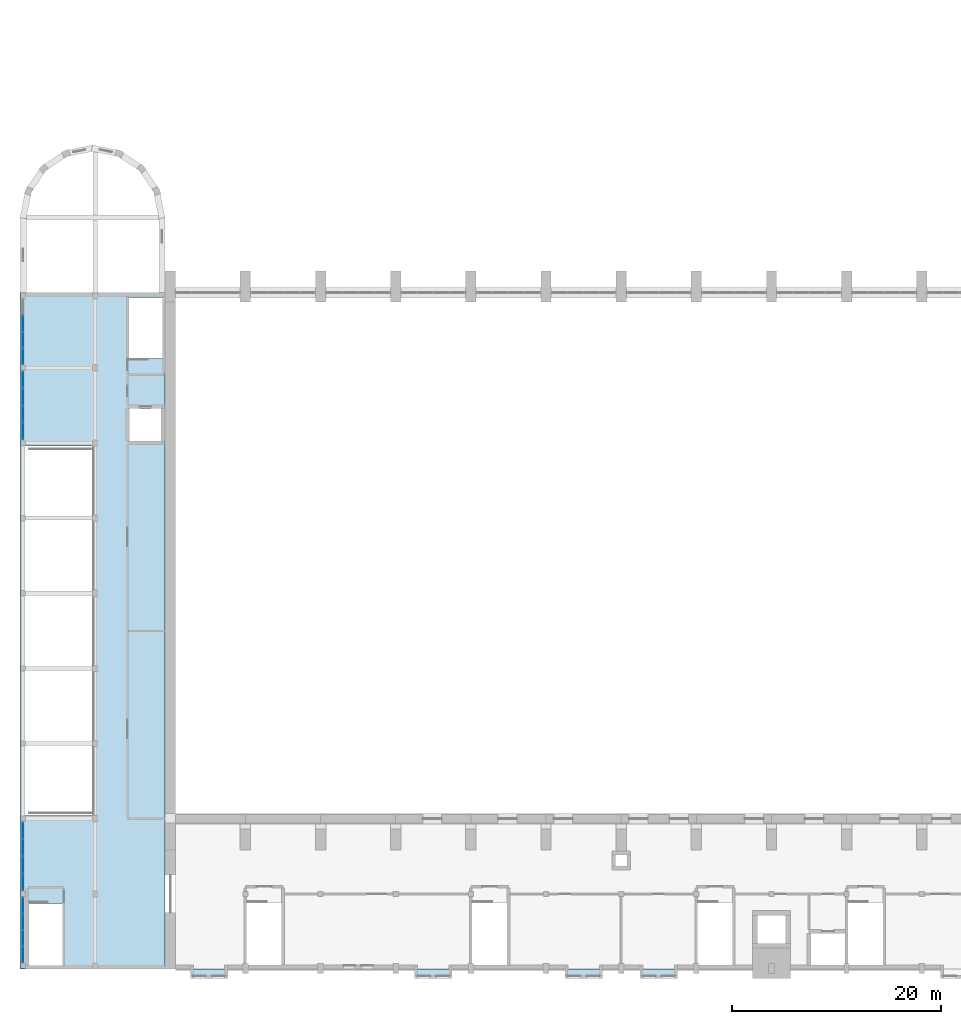
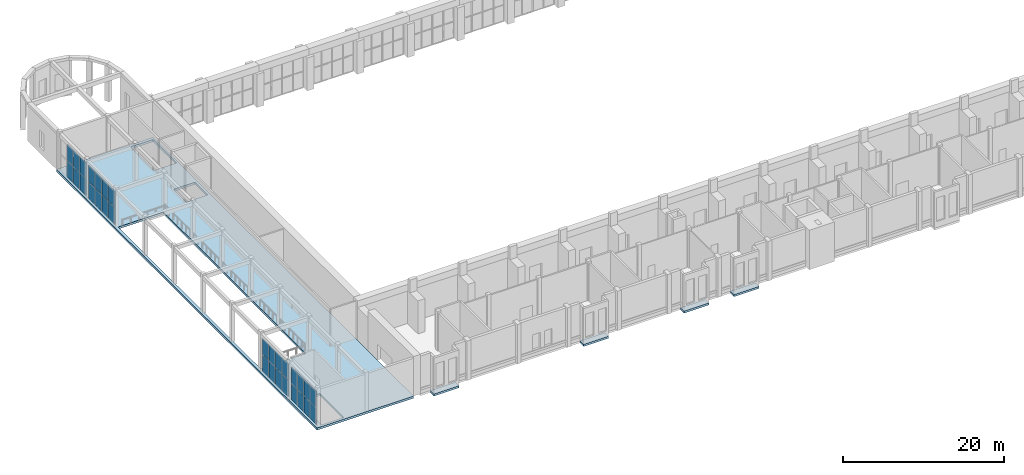
# One storey, part 19 of 44: 30 plates, 5 slabs, 4 elements without a shape of their own.
"""IFC4 building model written with IfcOpenShell, lengths in metres."""

from ifc_helpers import new_model, si_unit, direction, frame, origin, origin_2d, place, context, subcontext, project, spatial, polyline, rectangle, outline, extrude, material, layer, layer_set, type_object, element, aggregate, save


model = new_model("IFC4")

# Units and contexts
model_context = context("Model", 3, precision=1e-05, world=origin(), true_north=direction((0.0, 1.0)))
body_context = subcontext(model_context, "Body", "Model", "MODEL_VIEW")
ifc_project = project(units=[si_unit("LENGTHUNIT", "METRE"), si_unit("AREAUNIT", "SQUARE_METRE"), si_unit("VOLUMEUNIT", "CUBIC_METRE"), si_unit("PLANEANGLEUNIT", "RADIAN"), si_unit("MASSUNIT", "GRAM", prefix="KILO")], contexts=[model_context])

# Site, building, storey
site_placement = place(None, origin())
site = spatial("IfcSite", under=ifc_project, at=site_placement, CompositionType="ELEMENT")
building_placement = place(site_placement, origin())
building = spatial("IfcBuilding", under=site, at=building_placement, Name="Vermilion Court Aquatics Centre", CompositionType="ELEMENT")
storey_placement = place(building_placement, frame((0.0, 0.0, 6.0)))
storey = spatial("IfcBuildingStorey", under=building, at=storey_placement, Name="L01", CompositionType="ELEMENT", Elevation=6.0)

# Slab
ifc_material_1 = material(Name="Concrete 5000 psi", Category="concrete")
ifc_layer_1 = layer(ifc_material_1, 0.324951171875)
ifc_layer_set_1 = layer_set([ifc_layer_1], Name="Foyer gallery slab 325")
slab_type_1 = type_object("IfcSlabType", Name="Foyer gallery slab 325", PredefinedType="FLOOR", material=ifc_layer_set_1)
slab_1_placement = place(storey_placement, frame((0.0, 0.0, -0.324951171875)))
element("IfcSlab", 1, at=slab_1_placement, inside=storey, type_object=slab_type_1, Name="Foyer gallery slab", PredefinedType="FLOOR", context=body_context, shape_type="SweptSolid", body=[
    extrude(outline(polyline([(0.0, 0.0), (13.89990234375, 0.0), (13.89990234375, 64.800048828125), (0.0, 64.800048828125), (0.0, 0.0)]), holes=[polyline([(0.39990234375, 14.699951171875), (6.89990234375, 14.699951171875), (6.89990234375, 50.10009765625), (0.39990234375, 50.10009765625), (0.39990234375, 14.699951171875)]), polyline([(0.875, 0.35009765625), (4.074951171875, 0.35009765625), (4.074951171875, 6.300048828125), (0.875, 6.300048828125), (0.875, 0.35009765625)]), polyline([(10.425048828125, 58.5), (13.64990234375, 58.5), (13.64990234375, 64.35009765625), (10.425048828125, 64.35009765625), (10.425048828125, 58.5)]), polyline([(10.47509765625, 50.574951171875), (13.52490234375, 50.574951171875), (13.52490234375, 53.72509765625), (10.47509765625, 53.72509765625), (10.47509765625, 50.574951171875)])]), origin(), (0.0, 0.0, 1.0), 0.324951171875),
])

# Curtain wall, plates
ifc_material_2 = material(Name="Aluminium 6063-T5", Category="aluminium")
curtain_wall_type = type_object("IfcCurtainWallType", Name="Foyer curtain wall", PredefinedType="NOTDEFINED", material=ifc_material_2)
curtain_wall_1_placement = place(storey_placement, origin())
curtain_wall_1 = element("IfcCurtainWall", 2, at=curtain_wall_1_placement, inside=storey, type_object=curtain_wall_type, Name="Foyer curtain wall 1", PredefinedType="NOTDEFINED")
ifc_material_3 = material(Name="Glazing", Category="glass")
ifc_layer_2 = layer(ifc_material_3, 0.028076171875)
ifc_layer_set_2 = layer_set([ifc_layer_2], Name="Foyer glazing panel 28")
plate_type_1 = type_object("IfcPlateType", Name="Foyer glazing panel 28", PredefinedType="CURTAIN_PANEL", material=ifc_layer_set_2)
plate_1_placement = place(storey_placement, frame((0.300048828125, 1.402587890625, 2.60498046875), z_axis=(0.0, 0.0, 1.0), x_axis=(0.0, 1.0, 0.0)))
plate_1 = element("IfcPlate", 3, at=plate_1_placement, type_object=plate_type_1, Name="FCW1 panel 1.2", PredefinedType="CURTAIN_PANEL", context=body_context, shape_type="SweptSolid", body=[
    extrude(rectangle(XDim=1.485107421875, YDim=0.028076171875, at=origin_2d()), origin(), (0.0, 0.0, 1.0), 2.485107421875),
])
plate_2_placement = place(storey_placement, frame((0.300048828125, 2.96240234375, 2.60498046875), z_axis=(0.0, 0.0, 1.0), x_axis=(0.0, 1.0, 0.0)))
plate_2 = element("IfcPlate", 4, at=plate_2_placement, type_object=plate_type_1, Name="FCW1 panel 2.2", PredefinedType="CURTAIN_PANEL", context=body_context, shape_type="SweptSolid", body=[
    extrude(rectangle(XDim=1.514892578125, YDim=0.028076171875, at=origin_2d()), origin(), (0.0, 0.0, 1.0), 2.485107421875),
])
plate_3_placement = place(storey_placement, frame((0.300048828125, 4.53759765625, 2.60498046875), z_axis=(0.0, 0.0, 1.0), x_axis=(0.0, 1.0, 0.0)))
plate_3 = element("IfcPlate", 5, at=plate_3_placement, type_object=plate_type_1, Name="FCW1 panel 3.2", PredefinedType="CURTAIN_PANEL", context=body_context, shape_type="SweptSolid", body=[
    extrude(rectangle(XDim=1.514892578125, YDim=0.028076171875, at=origin_2d()), origin(), (0.0, 0.0, 1.0), 2.485107421875),
])
plate_4_placement = place(storey_placement, frame((0.300048828125, 6.097412109375, 2.60498046875), z_axis=(0.0, 0.0, 1.0), x_axis=(0.0, 1.0, 0.0)))
plate_4 = element("IfcPlate", 6, at=plate_4_placement, type_object=plate_type_1, Name="FCW1 panel 4.2", PredefinedType="CURTAIN_PANEL", context=body_context, shape_type="SweptSolid", body=[
    extrude(rectangle(XDim=1.485107421875, YDim=0.028076171875, at=origin_2d()), origin(), (0.0, 0.0, 1.0), 2.485107421875),
])

curtain_wall_2_placement = place(storey_placement, origin())
curtain_wall_2 = element("IfcCurtainWall", 7, at=curtain_wall_2_placement, inside=storey, type_object=curtain_wall_type, Name="Foyer curtain wall 2", PredefinedType="NOTDEFINED")
plate_5_placement = place(storey_placement, frame((0.300048828125, 8.340087890625, 2.60498046875), z_axis=(0.0, 0.0, 1.0), x_axis=(0.0, 1.0, 0.0)))
plate_5 = element("IfcPlate", 8, at=plate_5_placement, type_object=plate_type_1, Name="FCW1 panel 1.2", PredefinedType="CURTAIN_PANEL", context=body_context, shape_type="SweptSolid", body=[
    extrude(rectangle(XDim=1.56005859375, YDim=0.028076171875, at=origin_2d()), origin(), (0.0, 0.0, 1.0), 2.485107421875),
])
plate_6_placement = place(storey_placement, frame((0.300048828125, 9.97509765625, 2.60498046875), z_axis=(0.0, 0.0, 1.0), x_axis=(0.0, 1.0, 0.0)))
plate_6 = element("IfcPlate", 9, at=plate_6_placement, type_object=plate_type_1, Name="FCW1 panel 2.2", PredefinedType="CURTAIN_PANEL", context=body_context, shape_type="SweptSolid", body=[
    extrude(rectangle(XDim=1.590087890625, YDim=0.028076171875, at=origin_2d()), origin(), (0.0, 0.0, 1.0), 2.485107421875),
])
plate_7_placement = place(storey_placement, frame((0.300048828125, 11.625, 2.60498046875), z_axis=(0.0, 0.0, 1.0), x_axis=(0.0, 1.0, 0.0)))
plate_7 = element("IfcPlate", 10, at=plate_7_placement, type_object=plate_type_1, Name="FCW1 panel 3.2", PredefinedType="CURTAIN_PANEL", context=body_context, shape_type="SweptSolid", body=[
    extrude(rectangle(XDim=1.590087890625, YDim=0.028076171875, at=origin_2d()), origin(), (0.0, 0.0, 1.0), 2.485107421875),
])
plate_8_placement = place(storey_placement, frame((0.300048828125, 13.260009765625, 2.60498046875), z_axis=(0.0, 0.0, 1.0), x_axis=(0.0, 1.0, 0.0)))
plate_8 = element("IfcPlate", 11, at=plate_8_placement, type_object=plate_type_1, Name="FCW1 panel 4.2", PredefinedType="CURTAIN_PANEL", context=body_context, shape_type="SweptSolid", body=[
    extrude(rectangle(XDim=1.56005859375, YDim=0.028076171875, at=origin_2d()), origin(), (0.0, 0.0, 1.0), 2.485107421875),
])

curtain_wall_3_placement = place(storey_placement, origin())
curtain_wall_3 = element("IfcCurtainWall", 12, at=curtain_wall_3_placement, inside=storey, type_object=curtain_wall_type, Name="Foyer curtain wall 8", PredefinedType="NOTDEFINED")
plate_9_placement = place(storey_placement, frame((0.300048828125, 51.5400390625, 2.60498046875), z_axis=(0.0, 0.0, 1.0), x_axis=(0.0, 1.0, 0.0)))
plate_9 = element("IfcPlate", 13, at=plate_9_placement, type_object=plate_type_1, Name="FCW1 panel 1.2", PredefinedType="CURTAIN_PANEL", context=body_context, shape_type="SweptSolid", body=[
    extrude(rectangle(XDim=1.56005859375, YDim=0.028076171875, at=origin_2d()), origin(), (0.0, 0.0, 1.0), 2.485107421875),
])
plate_10_placement = place(storey_placement, frame((0.300048828125, 53.175048828125, 2.60498046875), z_axis=(0.0, 0.0, 1.0), x_axis=(0.0, 1.0, 0.0)))
plate_10 = element("IfcPlate", 14, at=plate_10_placement, type_object=plate_type_1, Name="FCW1 panel 2.2", PredefinedType="CURTAIN_PANEL", context=body_context, shape_type="SweptSolid", body=[
    extrude(rectangle(XDim=1.590087890625, YDim=0.028076171875, at=origin_2d()), origin(), (0.0, 0.0, 1.0), 2.485107421875),
])
plate_11_placement = place(storey_placement, frame((0.300048828125, 54.824951171875, 2.60498046875), z_axis=(0.0, 0.0, 1.0), x_axis=(0.0, 1.0, 0.0)))
plate_11 = element("IfcPlate", 15, at=plate_11_placement, type_object=plate_type_1, Name="FCW1 panel 3.2", PredefinedType="CURTAIN_PANEL", context=body_context, shape_type="SweptSolid", body=[
    extrude(rectangle(XDim=1.590087890625, YDim=0.028076171875, at=origin_2d()), origin(), (0.0, 0.0, 1.0), 2.485107421875),
])
plate_12_placement = place(storey_placement, frame((0.300048828125, 56.4599609375, 2.60498046875), z_axis=(0.0, 0.0, 1.0), x_axis=(0.0, 1.0, 0.0)))
plate_12 = element("IfcPlate", 16, at=plate_12_placement, type_object=plate_type_1, Name="FCW1 panel 4.2", PredefinedType="CURTAIN_PANEL", context=body_context, shape_type="SweptSolid", body=[
    extrude(rectangle(XDim=1.56005859375, YDim=0.028076171875, at=origin_2d()), origin(), (0.0, 0.0, 1.0), 2.485107421875),
])

curtain_wall_4_placement = place(storey_placement, origin())
curtain_wall_4 = element("IfcCurtainWall", 17, at=curtain_wall_4_placement, inside=storey, type_object=curtain_wall_type, Name="Foyer curtain wall 9", PredefinedType="NOTDEFINED")
plate_13_placement = place(storey_placement, frame((0.300048828125, 58.702392578125, 2.60498046875), z_axis=(0.0, 0.0, 1.0), x_axis=(0.0, 1.0, 0.0)))
plate_13 = element("IfcPlate", 18, at=plate_13_placement, type_object=plate_type_1, Name="FCW1 panel 1.2", PredefinedType="CURTAIN_PANEL", context=body_context, shape_type="SweptSolid", body=[
    extrude(rectangle(XDim=1.485107421875, YDim=0.028076171875, at=origin_2d()), origin(), (0.0, 0.0, 1.0), 2.485107421875),
])
plate_14_placement = place(storey_placement, frame((0.300048828125, 60.262451171875, 2.60498046875), z_axis=(0.0, 0.0, 1.0), x_axis=(0.0, 1.0, 0.0)))
plate_14 = element("IfcPlate", 19, at=plate_14_placement, type_object=plate_type_1, Name="FCW1 panel 2.2", PredefinedType="CURTAIN_PANEL", context=body_context, shape_type="SweptSolid", body=[
    extrude(rectangle(XDim=1.514892578125, YDim=0.028076171875, at=origin_2d()), origin(), (0.0, 0.0, 1.0), 2.485107421875),
])
plate_15_placement = place(storey_placement, frame((0.300048828125, 61.83740234375, 2.60498046875), z_axis=(0.0, 0.0, 1.0), x_axis=(0.0, 1.0, 0.0)))
plate_15 = element("IfcPlate", 20, at=plate_15_placement, type_object=plate_type_1, Name="FCW1 panel 3.2", PredefinedType="CURTAIN_PANEL", context=body_context, shape_type="SweptSolid", body=[
    extrude(rectangle(XDim=1.514892578125, YDim=0.028076171875, at=origin_2d()), origin(), (0.0, 0.0, 1.0), 2.485107421875),
])

# Plate
ifc_material_4 = material(Name="Glazing", Category="glass")
ifc_layer_3 = layer(ifc_material_4, 0.0400390625)
ifc_layer_set_3 = layer_set([ifc_layer_3], Name="Foyer laminated safety panel 40")
plate_type_2 = type_object("IfcPlateType", Name="Foyer laminated safety panel 40", PredefinedType="CURTAIN_PANEL", material=ifc_layer_set_3)
plate_16_placement = place(storey_placement, frame((0.300048828125, 1.402587890625, 0.06005859375), z_axis=(0.0, 0.0, 1.0), x_axis=(0.0, 1.0, 0.0)))
plate_16 = element("IfcPlate", 21, at=plate_16_placement, type_object=plate_type_2, Name="FCW1 panel 1.1", PredefinedType="CURTAIN_PANEL", context=body_context, shape_type="SweptSolid", body=[
    extrude(rectangle(XDim=1.485107421875, YDim=0.0400390625, at=origin_2d()), origin(), (0.0, 0.0, 1.0), 2.485107421875),
])

plate_17_placement = place(storey_placement, frame((0.300048828125, 2.96240234375, 0.06005859375), z_axis=(0.0, 0.0, 1.0), x_axis=(0.0, 1.0, 0.0)))
plate_17 = element("IfcPlate", 22, at=plate_17_placement, type_object=plate_type_2, Name="FCW1 panel 2.1", PredefinedType="CURTAIN_PANEL", context=body_context, shape_type="SweptSolid", body=[
    extrude(rectangle(XDim=1.514892578125, YDim=0.0400390625, at=origin_2d()), origin(), (0.0, 0.0, 1.0), 2.485107421875),
])

plate_18_placement = place(storey_placement, frame((0.300048828125, 4.53759765625, 0.06005859375), z_axis=(0.0, 0.0, 1.0), x_axis=(0.0, 1.0, 0.0)))
plate_18 = element("IfcPlate", 23, at=plate_18_placement, type_object=plate_type_2, Name="FCW1 panel 3.1", PredefinedType="CURTAIN_PANEL", context=body_context, shape_type="SweptSolid", body=[
    extrude(rectangle(XDim=1.514892578125, YDim=0.0400390625, at=origin_2d()), origin(), (0.0, 0.0, 1.0), 2.485107421875),
])

plate_19_placement = place(storey_placement, frame((0.300048828125, 6.097412109375, 0.06005859375), z_axis=(0.0, 0.0, 1.0), x_axis=(0.0, 1.0, 0.0)))
plate_19 = element("IfcPlate", 24, at=plate_19_placement, type_object=plate_type_2, Name="FCW1 panel 4.1", PredefinedType="CURTAIN_PANEL", context=body_context, shape_type="SweptSolid", body=[
    extrude(rectangle(XDim=1.485107421875, YDim=0.0400390625, at=origin_2d()), origin(), (0.0, 0.0, 1.0), 2.485107421875),
])

aggregate(curtain_wall_1, [plate_16, plate_1, plate_17, plate_2, plate_18, plate_3, plate_19, plate_4])

plate_20_placement = place(storey_placement, frame((0.300048828125, 8.340087890625, 0.06005859375), z_axis=(0.0, 0.0, 1.0), x_axis=(0.0, 1.0, 0.0)))
plate_20 = element("IfcPlate", 25, at=plate_20_placement, type_object=plate_type_2, Name="FCW1 panel 1.1", PredefinedType="CURTAIN_PANEL", context=body_context, shape_type="SweptSolid", body=[
    extrude(rectangle(XDim=1.56005859375, YDim=0.0400390625, at=origin_2d()), origin(), (0.0, 0.0, 1.0), 2.485107421875),
])

plate_21_placement = place(storey_placement, frame((0.300048828125, 9.97509765625, 0.06005859375), z_axis=(0.0, 0.0, 1.0), x_axis=(0.0, 1.0, 0.0)))
plate_21 = element("IfcPlate", 26, at=plate_21_placement, type_object=plate_type_2, Name="FCW1 panel 2.1", PredefinedType="CURTAIN_PANEL", context=body_context, shape_type="SweptSolid", body=[
    extrude(rectangle(XDim=1.590087890625, YDim=0.0400390625, at=origin_2d()), origin(), (0.0, 0.0, 1.0), 2.485107421875),
])

plate_22_placement = place(storey_placement, frame((0.300048828125, 11.625, 0.06005859375), z_axis=(0.0, 0.0, 1.0), x_axis=(0.0, 1.0, 0.0)))
plate_22 = element("IfcPlate", 27, at=plate_22_placement, type_object=plate_type_2, Name="FCW1 panel 3.1", PredefinedType="CURTAIN_PANEL", context=body_context, shape_type="SweptSolid", body=[
    extrude(rectangle(XDim=1.590087890625, YDim=0.0400390625, at=origin_2d()), origin(), (0.0, 0.0, 1.0), 2.485107421875),
])

plate_23_placement = place(storey_placement, frame((0.300048828125, 13.260009765625, 0.06005859375), z_axis=(0.0, 0.0, 1.0), x_axis=(0.0, 1.0, 0.0)))
plate_23 = element("IfcPlate", 28, at=plate_23_placement, type_object=plate_type_2, Name="FCW1 panel 4.1", PredefinedType="CURTAIN_PANEL", context=body_context, shape_type="SweptSolid", body=[
    extrude(rectangle(XDim=1.56005859375, YDim=0.0400390625, at=origin_2d()), origin(), (0.0, 0.0, 1.0), 2.485107421875),
])

aggregate(curtain_wall_2, [plate_20, plate_5, plate_21, plate_6, plate_22, plate_7, plate_23, plate_8])

plate_24_placement = place(storey_placement, frame((0.300048828125, 51.5400390625, 0.06005859375), z_axis=(0.0, 0.0, 1.0), x_axis=(0.0, 1.0, 0.0)))
plate_24 = element("IfcPlate", 29, at=plate_24_placement, type_object=plate_type_2, Name="FCW1 panel 1.1", PredefinedType="CURTAIN_PANEL", context=body_context, shape_type="SweptSolid", body=[
    extrude(rectangle(XDim=1.56005859375, YDim=0.0400390625, at=origin_2d()), origin(), (0.0, 0.0, 1.0), 2.485107421875),
])

plate_25_placement = place(storey_placement, frame((0.300048828125, 53.175048828125, 0.06005859375), z_axis=(0.0, 0.0, 1.0), x_axis=(0.0, 1.0, 0.0)))
plate_25 = element("IfcPlate", 30, at=plate_25_placement, type_object=plate_type_2, Name="FCW1 panel 2.1", PredefinedType="CURTAIN_PANEL", context=body_context, shape_type="SweptSolid", body=[
    extrude(rectangle(XDim=1.590087890625, YDim=0.0400390625, at=origin_2d()), origin(), (0.0, 0.0, 1.0), 2.485107421875),
])

plate_26_placement = place(storey_placement, frame((0.300048828125, 54.824951171875, 0.06005859375), z_axis=(0.0, 0.0, 1.0), x_axis=(0.0, 1.0, 0.0)))
plate_26 = element("IfcPlate", 31, at=plate_26_placement, type_object=plate_type_2, Name="FCW1 panel 3.1", PredefinedType="CURTAIN_PANEL", context=body_context, shape_type="SweptSolid", body=[
    extrude(rectangle(XDim=1.590087890625, YDim=0.0400390625, at=origin_2d()), origin(), (0.0, 0.0, 1.0), 2.485107421875),
])

plate_27_placement = place(storey_placement, frame((0.300048828125, 56.4599609375, 0.06005859375), z_axis=(0.0, 0.0, 1.0), x_axis=(0.0, 1.0, 0.0)))
plate_27 = element("IfcPlate", 32, at=plate_27_placement, type_object=plate_type_2, Name="FCW1 panel 4.1", PredefinedType="CURTAIN_PANEL", context=body_context, shape_type="SweptSolid", body=[
    extrude(rectangle(XDim=1.56005859375, YDim=0.0400390625, at=origin_2d()), origin(), (0.0, 0.0, 1.0), 2.485107421875),
])

aggregate(curtain_wall_3, [plate_24, plate_9, plate_25, plate_10, plate_26, plate_11, plate_27, plate_12])

plate_28_placement = place(storey_placement, frame((0.300048828125, 58.702392578125, 0.06005859375), z_axis=(0.0, 0.0, 1.0), x_axis=(0.0, 1.0, 0.0)))
plate_28 = element("IfcPlate", 33, at=plate_28_placement, type_object=plate_type_2, Name="FCW1 panel 1.1", PredefinedType="CURTAIN_PANEL", context=body_context, shape_type="SweptSolid", body=[
    extrude(rectangle(XDim=1.485107421875, YDim=0.0400390625, at=origin_2d()), origin(), (0.0, 0.0, 1.0), 2.485107421875),
])

plate_29_placement = place(storey_placement, frame((0.300048828125, 60.262451171875, 0.06005859375), z_axis=(0.0, 0.0, 1.0), x_axis=(0.0, 1.0, 0.0)))
plate_29 = element("IfcPlate", 34, at=plate_29_placement, type_object=plate_type_2, Name="FCW1 panel 2.1", PredefinedType="CURTAIN_PANEL", context=body_context, shape_type="SweptSolid", body=[
    extrude(rectangle(XDim=1.514892578125, YDim=0.0400390625, at=origin_2d()), origin(), (0.0, 0.0, 1.0), 2.485107421875),
])

plate_30_placement = place(storey_placement, frame((0.300048828125, 61.83740234375, 0.06005859375), z_axis=(0.0, 0.0, 1.0), x_axis=(0.0, 1.0, 0.0)))
plate_30 = element("IfcPlate", 35, at=plate_30_placement, type_object=plate_type_2, Name="FCW1 panel 3.1", PredefinedType="CURTAIN_PANEL", context=body_context, shape_type="SweptSolid", body=[
    extrude(rectangle(XDim=1.514892578125, YDim=0.0400390625, at=origin_2d()), origin(), (0.0, 0.0, 1.0), 2.485107421875),
])

aggregate(curtain_wall_4, [plate_28, plate_13, plate_29, plate_14, plate_30, plate_15])

# Slabs
ifc_material_5 = material(Name="Concrete 5000 psi", Category="concrete")
ifc_layer_4 = layer(ifc_material_5, 0.300048828125)
ifc_layer_set_4 = layer_set([ifc_layer_4], Name="South bay floor slab 300")
slab_type_2 = type_object("IfcSlabType", Name="South bay floor slab 300", PredefinedType="FLOOR", material=ifc_layer_set_4)
slab_2_placement = place(storey_placement, frame((0.0, 0.0, -0.300048828125)))
element("IfcSlab", 36, at=slab_2_placement, inside=storey, type_object=slab_type_2, Name="South bay floor slab", PredefinedType="FLOOR", context=body_context, shape_type="SweptSolid", body=[
    extrude(outline(polyline([(16.31298828125, -0.89990234375), (19.9130859375, -0.89990234375), (19.9130859375, 0.0), (16.31298828125, 0.0), (16.31298828125, -0.89990234375)])), origin(), (0.0, 0.0, 1.0), 0.300048828125),
])
slab_3_placement = place(storey_placement, frame((0.0, 0.0, -0.300048828125)))
element("IfcSlab", 37, at=slab_3_placement, inside=storey, type_object=slab_type_2, Name="South bay floor slab", PredefinedType="FLOOR", context=body_context, shape_type="SweptSolid", body=[
    extrude(outline(polyline([(37.800048828125, -0.89990234375), (41.39990234375, -0.89990234375), (41.39990234375, 0.0), (37.800048828125, 0.0), (37.800048828125, -0.89990234375)])), origin(), (0.0, 0.0, 1.0), 0.300048828125),
])
slab_4_placement = place(storey_placement, frame((0.0, 0.0, -0.300048828125)))
element("IfcSlab", 38, at=slab_4_placement, inside=storey, type_object=slab_type_2, Name="South oriel floor slab", PredefinedType="FLOOR", context=body_context, shape_type="SweptSolid", body=[
    extrude(outline(polyline([(52.199951171875, -0.89990234375), (55.800048828125, -0.89990234375), (55.800048828125, 0.0), (52.199951171875, 0.0), (52.199951171875, -0.89990234375)])), origin(), (0.0, 0.0, 1.0), 0.300048828125),
])
slab_5_placement = place(storey_placement, frame((0.0, 0.0, -0.300048828125)))
element("IfcSlab", 39, at=slab_5_placement, inside=storey, type_object=slab_type_2, Name="South oriel floor slab", PredefinedType="FLOOR", context=body_context, shape_type="SweptSolid", body=[
    extrude(outline(polyline([(59.39990234375, -0.89990234375), (63.0, -0.89990234375), (63.0, 0.0), (59.39990234375, 0.0), (59.39990234375, -0.89990234375)])), origin(), (0.0, 0.0, 1.0), 0.300048828125),
])

save(model, "model.ifc")
